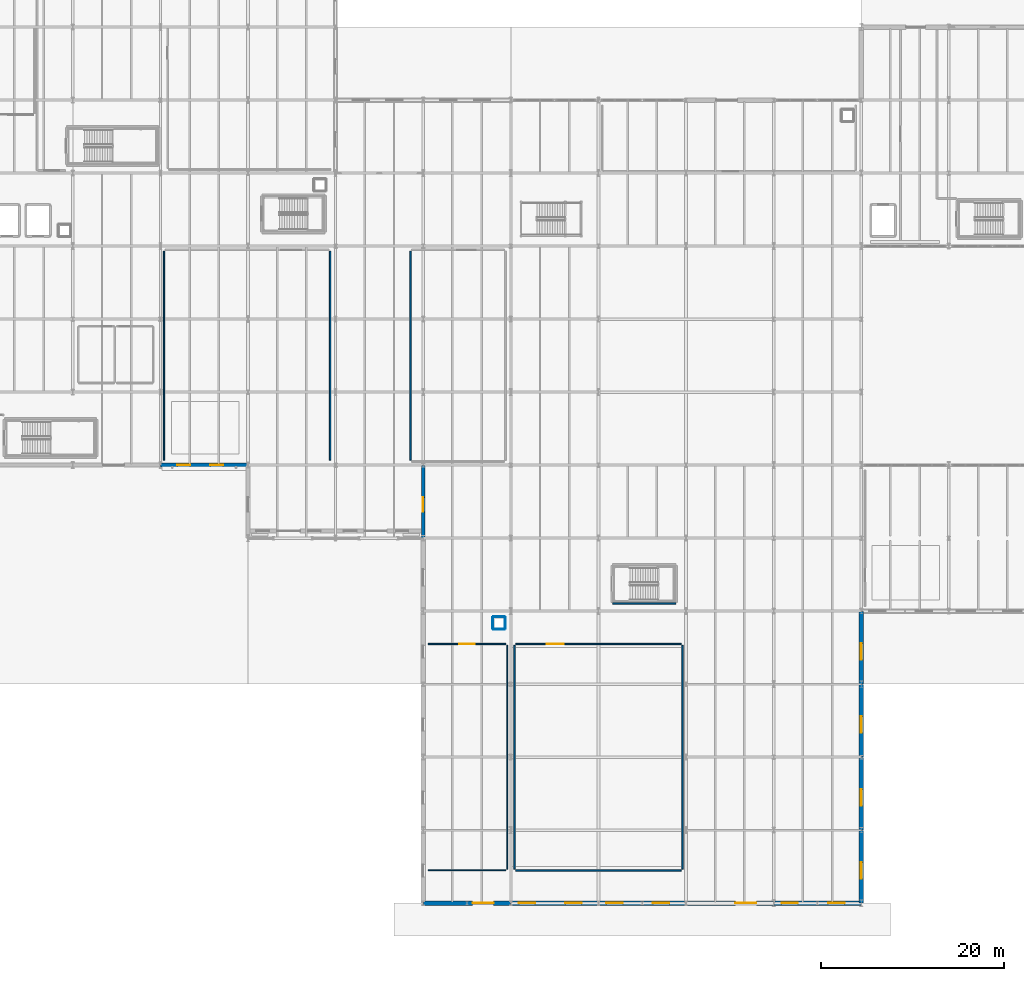
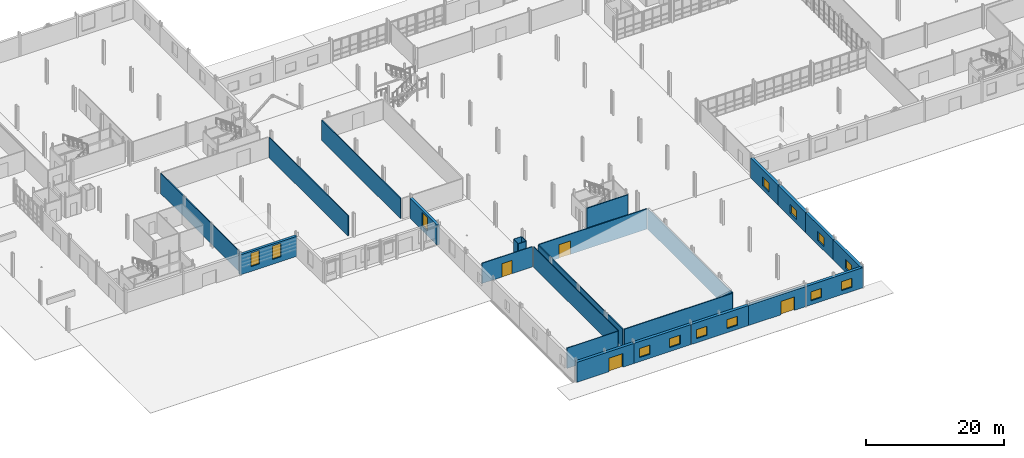
# One storey, part 59 of 78: 26 walls, 13 windows, 4 doors, 17 openings.
"""IFC4 building model written with IfcOpenShell, lengths in metres."""

from ifc_helpers import new_model, si_unit, direction, frame, frame_2d, origin, place, context, subcontext, project, spatial, rectangle, extrude, material, layer, layer_set, type_object, element, fill, save


model = new_model("IFC4")

# Units and contexts
model_context = context("Model", 3, precision=1e-05, world=origin(), true_north=direction((0.0, 1.0)))
body_context = subcontext(model_context, "Body", "Model", "MODEL_VIEW")
ifc_project = project(units=[si_unit("LENGTHUNIT", "METRE"), si_unit("AREAUNIT", "SQUARE_METRE"), si_unit("VOLUMEUNIT", "CUBIC_METRE"), si_unit("PLANEANGLEUNIT", "RADIAN"), si_unit("MASSUNIT", "GRAM", prefix="KILO")], contexts=[model_context])

# Site, building, storey
site_placement = place(None, origin())
site = spatial("IfcSite", under=ifc_project, at=site_placement, CompositionType="ELEMENT")
building_placement = place(site_placement, origin())
building = spatial("IfcBuilding", under=site, at=building_placement, Name="Alderhovde Museum", CompositionType="ELEMENT")
storey_placement = place(building_placement, origin())
storey = spatial("IfcBuildingStorey", under=building, at=storey_placement, Name="L00", CompositionType="ELEMENT", Elevation=0.0)

# Wall, opening, window
ifc_material_1 = material(Name="Nordic Granite Plinth Masonry", Category="masonry")
ifc_layer_1 = layer(ifc_material_1, 0.419921875)
ifc_layer_set_1 = layer_set([ifc_layer_1], Name="Nordic Granite Plinth Masonry")
wall_type_1 = type_object("IfcWallType", Name="EW-GRAN-420", PredefinedType="SOLIDWALL", material=ifc_layer_set_1)
wall_1_placement = place(storey_placement, frame((67.199951171875, 40.02001953125, 0.0), z_axis=(0.0, 0.0, 1.0), x_axis=(0.0, 1.0, 0.0)))
wall_1 = element("IfcWall", 1, at=wall_1_placement, inside=storey, type_object=wall_type_1, Name="L00 Beaux-Arts Portico Flank Wall 7", PredefinedType="SOLIDWALL", context=body_context, shape_type="SweptSolid", body=[
    extrude(rectangle(XDim=7.9599609375, YDim=0.419921875, at=frame_2d((3.97998046875, 0.0))), origin(), (0.0, 0.0, 1.0), 3.56005859375),
])
opening_1_placement = place(wall_1_placement, frame((2.85009765625, 0.0, 0.800048828125)))
opening_1 = element("IfcOpeningElement", 2, at=opening_1_placement, cuts=wall_1, Name="Opening W06", PredefinedType="OPENING", context=body_context, shape_type="SweptSolid", body=[
    extrude(rectangle(XDim=1.60009765625, YDim=2.39990234375, at=frame_2d((0.800048828125, 1.199951171875))), frame((0.0, 0.219970703125, 0.0), z_axis=(0.0, -1.0, 0.0), x_axis=(1.0, 0.0, 0.0)), (0.0, 0.0, 1.0), 0.43994140625),
])
ifc_material_2 = material(Name="Triple-Glazed Low-E Bronze-Anodised Aluminium", Category="aluminium")
window_type_1 = type_object("IfcWindowType", Name="WIN-BA-1600x2400", PartitioningType="DOUBLE_PANEL_VERTICAL", PredefinedType="WINDOW", material=ifc_material_2)
window_1_placement = place(opening_1_placement, origin())
window_1 = element("IfcWindow", 3, at=window_1_placement, inside=storey, type_object=window_type_1, Name="L00 Facade Window 6", OverallHeight=2.39990234375, OverallWidth=1.60009765625, PartitioningType="SINGLE_PANEL", PredefinedType="WINDOW", context=body_context, shape_type="SweptSolid", body=[
    extrude(rectangle(XDim=1.60009765625, YDim=2.39990234375, at=frame_2d((0.800048828125, 1.199951171875))), frame((0.0, 0.030029296875, 0.0), z_axis=(0.0, -1.0, 0.0), x_axis=(1.0, 0.0, 0.0)), (0.0, 0.0, 1.0), 0.06005859375),
])
fill(opening_1, window_1)

# Wall, openings, windows
wall_2_placement = place(storey_placement, frame((38.419921875, 48.0, 0.0), z_axis=(0.0, 0.0, 1.0), x_axis=(1.0, 0.0, 0.0)))
wall_2 = element("IfcWall", 4, at=wall_2_placement, inside=storey, type_object=wall_type_1, Name="L00 Folded Wing South Wall 16", PredefinedType="SOLIDWALL", context=body_context, shape_type="SweptSolid", body=[
    extrude(rectangle(XDim=9.56005859375, YDim=0.419921875, at=frame_2d((4.780029296875, 0.0))), origin(), (0.0, 0.0, 1.0), 3.56005859375),
])
opening_2_placement = place(wall_2_placement, frame((1.85009765625, 0.0, 0.85009765625)))
opening_2 = element("IfcOpeningElement", 5, at=opening_2_placement, cuts=wall_2, Name="Opening W07", PredefinedType="OPENING", context=body_context, shape_type="SweptSolid", body=[
    extrude(rectangle(XDim=1.39990234375, YDim=2.39990234375, at=frame_2d((0.699951171875, 1.199951171875))), frame((0.0, 0.219970703125, 0.0), z_axis=(0.0, -1.0, 0.0), x_axis=(1.0, 0.0, 0.0)), (0.0, 0.0, 1.0), 0.43994140625),
])
opening_3_placement = place(wall_2_placement, frame((5.449951171875, 0.0, 0.85009765625)))
opening_3 = element("IfcOpeningElement", 6, at=opening_3_placement, cuts=wall_2, Name="Opening W07", PredefinedType="OPENING", context=body_context, shape_type="SweptSolid", body=[
    extrude(rectangle(XDim=1.39990234375, YDim=2.39990234375, at=frame_2d((0.699951171875, 1.199951171875))), frame((0.0, 0.219970703125, 0.0), z_axis=(0.0, -1.0, 0.0), x_axis=(1.0, 0.0, 0.0)), (0.0, 0.0, 1.0), 0.43994140625),
])
ifc_material_3 = material(Name="Triple-Glazed Low-E Bronze-Anodised Aluminium", Category="aluminium")
window_type_2 = type_object("IfcWindowType", Name="WIN-BA-1400x2400", PartitioningType="SINGLE_PANEL", PredefinedType="WINDOW", material=ifc_material_3)
window_2_placement = place(opening_2_placement, origin())
window_2 = element("IfcWindow", 7, at=window_2_placement, inside=storey, type_object=window_type_2, Name="L00 Facade Window 15", OverallHeight=2.39990234375, OverallWidth=1.39990234375, PartitioningType="SINGLE_PANEL", PredefinedType="WINDOW", context=body_context, shape_type="SweptSolid", body=[
    extrude(rectangle(XDim=1.39990234375, YDim=2.39990234375, at=frame_2d((0.699951171875, 1.199951171875))), frame((0.0, 0.030029296875, 0.0), z_axis=(0.0, -1.0, 0.0), x_axis=(1.0, 0.0, 0.0)), (0.0, 0.0, 1.0), 0.06005859375),
])
fill(opening_2, window_2)
window_3_placement = place(opening_3_placement, origin())
window_3 = element("IfcWindow", 8, at=window_3_placement, inside=storey, type_object=window_type_2, Name="L00 Facade Window 16", OverallHeight=2.39990234375, OverallWidth=1.39990234375, PartitioningType="SINGLE_PANEL", PredefinedType="WINDOW", context=body_context, shape_type="SweptSolid", body=[
    extrude(rectangle(XDim=1.39990234375, YDim=2.39990234375, at=frame_2d((0.699951171875, 1.199951171875))), frame((0.0, 0.030029296875, 0.0), z_axis=(0.0, -1.0, 0.0), x_axis=(1.0, 0.0, 0.0)), (0.0, 0.0, 1.0), 0.06005859375),
])
fill(opening_3, window_3)

# Wall, opening, door
ifc_material_4 = material(Name="Nordic Granite Ashlar on Concrete C35/45", Category="masonry")
ifc_layer_2 = layer(ifc_material_4, 0.47998046875)
ifc_layer_set_2 = layer_set([ifc_layer_2], Name="Nordic Granite Ashlar on Concrete C35/45")
wall_type_2 = type_object("IfcWallType", Name="EW-GRAN-480", PredefinedType="SOLIDWALL", material=ifc_layer_set_2)
wall_3_placement = place(storey_placement, frame((67.219970703125, 0.0, 0.0), z_axis=(0.0, 0.0, 1.0), x_axis=(1.0, 0.0, 0.0)))
wall_3 = element("IfcWall", 9, at=wall_3_placement, inside=storey, type_object=wall_type_2, Name="L00 Auditorium South Beaux-Arts Wall 85", PredefinedType="SOLIDWALL", context=body_context, shape_type="SweptSolid", body=[
    extrude(rectangle(XDim=9.56005859375, YDim=0.47998046875, at=frame_2d((4.780029296875, 0.0))), origin(), (0.0, 0.0, 1.0), 3.56005859375),
])
opening_4_placement = place(wall_3_placement, frame((5.39990234375, 0.0, 0.0)))
opening_4 = element("IfcOpeningElement", 10, at=opening_4_placement, cuts=wall_3, Name="Opening ED01", PredefinedType="OPENING", context=body_context, shape_type="SweptSolid", body=[
    extrude(rectangle(XDim=2.300048828125, YDim=2.39990234375, at=frame_2d((1.14990234375, 1.199951171875))), frame((0.0, 0.25, 0.0), z_axis=(0.0, -1.0, 0.0), x_axis=(1.0, 0.0, 0.0)), (0.0, 0.0, 1.0), 0.5),
])
ifc_material_5 = material(Name="Thermally Broken Bronze-Anodised Aluminium and Laminated Glass", Category="aluminium")
door_type_1 = type_object("IfcDoorType", Name="DR-EXT-2300x2400", OperationType="NOTDEFINED", PredefinedType="DOOR", material=ifc_material_5)
door_1_placement = place(opening_4_placement, frame((2.300048828125, 0.0, 0.0), z_axis=(0.0, 0.0, 1.0), x_axis=(-1.0, 0.0, 0.0)))
door_1 = element("IfcDoor", 11, at=door_1_placement, inside=storey, type_object=door_type_1, Name="Auditorium South Exit Door 67", OperationType="DOUBLE_DOOR_SINGLE_SWING", OverallHeight=2.39990234375, OverallWidth=2.300048828125, PredefinedType="DOOR", context=body_context, shape_type="SweptSolid", body=[
    extrude(rectangle(XDim=2.300048828125, YDim=2.39990234375, at=frame_2d((1.14990234375, 1.199951171875))), frame((0.0, 0.02490234375, 0.0), z_axis=(0.0, -1.0, 0.0), x_axis=(1.0, 0.0, 0.0)), (0.0, 0.0, 1.0), 0.050048828125),
])
fill(opening_4, door_1)

# Wall, openings, windows
wall_4_placement = place(storey_placement, frame((76.820068359375, 0.0, 0.0), z_axis=(0.0, 0.0, 1.0), x_axis=(1.0, 0.0, 0.0)))
wall_4 = element("IfcWall", 12, at=wall_4_placement, inside=storey, type_object=wall_type_2, Name="L00 Auditorium South Beaux-Arts Wall 86", PredefinedType="SOLIDWALL", context=body_context, shape_type="SweptSolid", body=[
    extrude(rectangle(XDim=9.559814453125, YDim=0.47998046875, at=frame_2d((4.77978515625, 0.0))), origin(), (0.0, 0.0, 1.0), 3.56005859375),
])
opening_5_placement = place(wall_4_placement, frame((0.85009765625, 0.0, 0.719970703125)))
opening_5 = element("IfcOpeningElement", 13, at=opening_5_placement, cuts=wall_4, Name="Opening W13", PredefinedType="OPENING", context=body_context, shape_type="SweptSolid", body=[
    extrude(rectangle(XDim=1.800048828125, YDim=1.60009765625, at=frame_2d((0.89990234375, 0.800048828125))), frame((0.0, 0.25, 0.0), z_axis=(0.0, -1.0, 0.0), x_axis=(1.0, 0.0, 0.0)), (0.0, 0.0, 1.0), 0.5),
])
opening_6_placement = place(wall_4_placement, frame((5.949951171875, 0.0, 0.719970703125)))
opening_6 = element("IfcOpeningElement", 14, at=opening_6_placement, cuts=wall_4, Name="Opening W13", PredefinedType="OPENING", context=body_context, shape_type="SweptSolid", body=[
    extrude(rectangle(XDim=1.800048828125, YDim=1.60009765625, at=frame_2d((0.89990234375, 0.800048828125))), frame((0.0, 0.25, 0.0), z_axis=(0.0, -1.0, 0.0), x_axis=(1.0, 0.0, 0.0)), (0.0, 0.0, 1.0), 0.5),
])
ifc_material_6 = material(Name="Triple-Glazed Low-E Bronze-Anodised Aluminium", Category="aluminium")
window_type_3 = type_object("IfcWindowType", Name="WIN-ATT-1800x1600", PartitioningType="DOUBLE_PANEL_VERTICAL", PredefinedType="WINDOW", material=ifc_material_6)
window_4_placement = place(opening_5_placement, origin())
window_4 = element("IfcWindow", 15, at=window_4_placement, inside=storey, type_object=window_type_3, Name="L00 Facade Window 55", OverallHeight=1.60009765625, OverallWidth=1.800048828125, PartitioningType="SINGLE_PANEL", PredefinedType="WINDOW", context=body_context, shape_type="SweptSolid", body=[
    extrude(rectangle(XDim=1.800048828125, YDim=1.60009765625, at=frame_2d((0.89990234375, 0.800048828125))), frame((0.0, 0.030029296875, 0.0), z_axis=(0.0, -1.0, 0.0), x_axis=(1.0, 0.0, 0.0)), (0.0, 0.0, 1.0), 0.06005859375),
])
fill(opening_5, window_4)
window_5_placement = place(opening_6_placement, origin())
window_5 = element("IfcWindow", 16, at=window_5_placement, inside=storey, type_object=window_type_3, Name="L00 Facade Window 56", OverallHeight=1.60009765625, OverallWidth=1.800048828125, PartitioningType="SINGLE_PANEL", PredefinedType="WINDOW", context=body_context, shape_type="SweptSolid", body=[
    extrude(rectangle(XDim=1.800048828125, YDim=1.60009765625, at=frame_2d((0.89990234375, 0.800048828125))), frame((0.0, 0.030029296875, 0.0), z_axis=(0.0, -1.0, 0.0), x_axis=(1.0, 0.0, 0.0)), (0.0, 0.0, 1.0), 0.06005859375),
])
fill(opening_6, window_5)

wall_5_placement = place(storey_placement, frame((86.419921875, 0.0, 0.0), z_axis=(0.0, 0.0, 1.0), x_axis=(1.0, 0.0, 0.0)))
wall_5 = element("IfcWall", 17, at=wall_5_placement, inside=storey, type_object=wall_type_2, Name="L00 Auditorium South Beaux-Arts Wall 87", PredefinedType="SOLIDWALL", context=body_context, shape_type="SweptSolid", body=[
    extrude(rectangle(XDim=9.56005859375, YDim=0.47998046875, at=frame_2d((4.780029296875, 0.0))), origin(), (0.0, 0.0, 1.0), 3.56005859375),
])
opening_7_placement = place(wall_5_placement, frame((0.85009765625, 0.0, 0.719970703125)))
opening_7 = element("IfcOpeningElement", 18, at=opening_7_placement, cuts=wall_5, Name="Opening W13", PredefinedType="OPENING", context=body_context, shape_type="SweptSolid", body=[
    extrude(rectangle(XDim=1.800048828125, YDim=1.60009765625, at=frame_2d((0.89990234375, 0.800048828125))), frame((0.0, 0.25, 0.0), z_axis=(0.0, -1.0, 0.0), x_axis=(1.0, 0.0, 0.0)), (0.0, 0.0, 1.0), 0.5),
])
opening_8_placement = place(wall_5_placement, frame((5.949951171875, 0.0, 0.719970703125)))
opening_8 = element("IfcOpeningElement", 19, at=opening_8_placement, cuts=wall_5, Name="Opening W13", PredefinedType="OPENING", context=body_context, shape_type="SweptSolid", body=[
    extrude(rectangle(XDim=1.800048828125, YDim=1.60009765625, at=frame_2d((0.89990234375, 0.800048828125))), frame((0.0, 0.25, 0.0), z_axis=(0.0, -1.0, 0.0), x_axis=(1.0, 0.0, 0.0)), (0.0, 0.0, 1.0), 0.5),
])
window_6_placement = place(opening_7_placement, origin())
window_6 = element("IfcWindow", 20, at=window_6_placement, inside=storey, type_object=window_type_3, Name="L00 Facade Window 57", OverallHeight=1.60009765625, OverallWidth=1.800048828125, PartitioningType="SINGLE_PANEL", PredefinedType="WINDOW", context=body_context, shape_type="SweptSolid", body=[
    extrude(rectangle(XDim=1.800048828125, YDim=1.60009765625, at=frame_2d((0.89990234375, 0.800048828125))), frame((0.0, 0.030029296875, 0.0), z_axis=(0.0, -1.0, 0.0), x_axis=(1.0, 0.0, 0.0)), (0.0, 0.0, 1.0), 0.06005859375),
])
fill(opening_7, window_6)
window_7_placement = place(opening_8_placement, origin())
window_7 = element("IfcWindow", 21, at=window_7_placement, inside=storey, type_object=window_type_3, Name="L00 Facade Window 58", OverallHeight=1.60009765625, OverallWidth=1.800048828125, PartitioningType="SINGLE_PANEL", PredefinedType="WINDOW", context=body_context, shape_type="SweptSolid", body=[
    extrude(rectangle(XDim=1.800048828125, YDim=1.60009765625, at=frame_2d((0.89990234375, 0.800048828125))), frame((0.0, 0.030029296875, 0.0), z_axis=(0.0, -1.0, 0.0), x_axis=(1.0, 0.0, 0.0)), (0.0, 0.0, 1.0), 0.06005859375),
])
fill(opening_8, window_7)

# Wall, opening, door
wall_6_placement = place(storey_placement, frame((96.02001953125, 0.0, 0.0), z_axis=(0.0, 0.0, 1.0), x_axis=(1.0, 0.0, 0.0)))
wall_6 = element("IfcWall", 22, at=wall_6_placement, inside=storey, type_object=wall_type_2, Name="L00 Auditorium South Beaux-Arts Wall 88", PredefinedType="SOLIDWALL", context=body_context, shape_type="SweptSolid", body=[
    extrude(rectangle(XDim=9.56005859375, YDim=0.47998046875, at=frame_2d((4.780029296875, 0.0))), origin(), (0.0, 0.0, 1.0), 3.56005859375),
])
opening_9_placement = place(wall_6_placement, frame((5.39990234375, 0.0, 0.0)))
opening_9 = element("IfcOpeningElement", 23, at=opening_9_placement, cuts=wall_6, Name="Opening ED01", PredefinedType="OPENING", context=body_context, shape_type="SweptSolid", body=[
    extrude(rectangle(XDim=2.300048828125, YDim=2.39990234375, at=frame_2d((1.14990234375, 1.199951171875))), frame((0.0, 0.25, 0.0), z_axis=(0.0, -1.0, 0.0), x_axis=(1.0, 0.0, 0.0)), (0.0, 0.0, 1.0), 0.5),
])
door_2_placement = place(opening_9_placement, frame((2.300048828125, 0.0, 0.0), z_axis=(0.0, 0.0, 1.0), x_axis=(-1.0, 0.0, 0.0)))
door_2 = element("IfcDoor", 24, at=door_2_placement, inside=storey, type_object=door_type_1, Name="Auditorium South Exit Door 96", OperationType="DOUBLE_DOOR_SINGLE_SWING", OverallHeight=2.39990234375, OverallWidth=2.300048828125, PredefinedType="DOOR", context=body_context, shape_type="SweptSolid", body=[
    extrude(rectangle(XDim=2.300048828125, YDim=2.39990234375, at=frame_2d((1.14990234375, 1.199951171875))), frame((0.0, 0.02490234375, 0.0), z_axis=(0.0, -1.0, 0.0), x_axis=(1.0, 0.0, 0.0)), (0.0, 0.0, 1.0), 0.050048828125),
])
fill(opening_9, door_2)

# Wall, openings, windows
wall_7_placement = place(storey_placement, frame((105.6201171875, 0.0, 0.0), z_axis=(0.0, 0.0, 1.0), x_axis=(1.0, 0.0, 0.0)))
wall_7 = element("IfcWall", 25, at=wall_7_placement, inside=storey, type_object=wall_type_2, Name="L00 Auditorium South Beaux-Arts Wall 89", PredefinedType="SOLIDWALL", context=body_context, shape_type="SweptSolid", body=[
    extrude(rectangle(XDim=9.559814453125, YDim=0.47998046875, at=frame_2d((4.77978515625, 0.0))), origin(), (0.0, 0.0, 1.0), 3.56005859375),
])
opening_10_placement = place(wall_7_placement, frame((0.85009765625, 0.0, 0.719970703125)))
opening_10 = element("IfcOpeningElement", 26, at=opening_10_placement, cuts=wall_7, Name="Opening W13", PredefinedType="OPENING", context=body_context, shape_type="SweptSolid", body=[
    extrude(rectangle(XDim=1.800048828125, YDim=1.60009765625, at=frame_2d((0.89990234375, 0.800048828125))), frame((0.0, 0.25, 0.0), z_axis=(0.0, -1.0, 0.0), x_axis=(1.0, 0.0, 0.0)), (0.0, 0.0, 1.0), 0.5),
])
opening_11_placement = place(wall_7_placement, frame((5.949951171875, 0.0, 0.719970703125)))
opening_11 = element("IfcOpeningElement", 27, at=opening_11_placement, cuts=wall_7, Name="Opening W13", PredefinedType="OPENING", context=body_context, shape_type="SweptSolid", body=[
    extrude(rectangle(XDim=1.800048828125, YDim=1.60009765625, at=frame_2d((0.89990234375, 0.800048828125))), frame((0.0, 0.25, 0.0), z_axis=(0.0, -1.0, 0.0), x_axis=(1.0, 0.0, 0.0)), (0.0, 0.0, 1.0), 0.5),
])
window_8_placement = place(opening_10_placement, origin())
window_8 = element("IfcWindow", 28, at=window_8_placement, inside=storey, type_object=window_type_3, Name="L00 Facade Window 59", OverallHeight=1.60009765625, OverallWidth=1.800048828125, PartitioningType="SINGLE_PANEL", PredefinedType="WINDOW", context=body_context, shape_type="SweptSolid", body=[
    extrude(rectangle(XDim=1.800048828125, YDim=1.60009765625, at=frame_2d((0.89990234375, 0.800048828125))), frame((0.0, 0.030029296875, 0.0), z_axis=(0.0, -1.0, 0.0), x_axis=(1.0, 0.0, 0.0)), (0.0, 0.0, 1.0), 0.06005859375),
])
fill(opening_10, window_8)
window_9_placement = place(opening_11_placement, origin())
window_9 = element("IfcWindow", 29, at=window_9_placement, inside=storey, type_object=window_type_3, Name="L00 Facade Window 60", OverallHeight=1.60009765625, OverallWidth=1.800048828125, PartitioningType="SINGLE_PANEL", PredefinedType="WINDOW", context=body_context, shape_type="SweptSolid", body=[
    extrude(rectangle(XDim=1.800048828125, YDim=1.60009765625, at=frame_2d((0.89990234375, 0.800048828125))), frame((0.0, 0.030029296875, 0.0), z_axis=(0.0, -1.0, 0.0), x_axis=(1.0, 0.0, 0.0)), (0.0, 0.0, 1.0), 0.06005859375),
])
fill(opening_11, window_9)

# Wall, opening, window
wall_8_placement = place(storey_placement, frame((115.199951171875, 0.02001953125, 0.0), z_axis=(0.0, 0.0, 1.0), x_axis=(0.0, 1.0, 0.0)))
wall_8 = element("IfcWall", 30, at=wall_8_placement, inside=storey, type_object=wall_type_2, Name="L00 Auditorium East Granite Wall 91", PredefinedType="SOLIDWALL", context=body_context, shape_type="SweptSolid", body=[
    extrude(rectangle(XDim=7.9599609375, YDim=0.47998046875, at=frame_2d((3.97998046875, 0.0))), origin(), (0.0, 0.0, 1.0), 3.56005859375),
])
opening_12_placement = place(wall_8_placement, frame((2.64990234375, 0.0, 0.719970703125)))
opening_12 = element("IfcOpeningElement", 31, at=opening_12_placement, cuts=wall_8, Name="Opening W13", PredefinedType="OPENING", context=body_context, shape_type="SweptSolid", body=[
    extrude(rectangle(XDim=1.800048828125, YDim=1.60009765625, at=frame_2d((0.89990234375, 0.800048828125))), frame((0.0, 0.25, 0.0), z_axis=(0.0, -1.0, 0.0), x_axis=(1.0, 0.0, 0.0)), (0.0, 0.0, 1.0), 0.5),
])
window_10_placement = place(opening_12_placement, origin())
window_10 = element("IfcWindow", 32, at=window_10_placement, inside=storey, type_object=window_type_3, Name="L00 Facade Window 62", OverallHeight=1.60009765625, OverallWidth=1.800048828125, PartitioningType="SINGLE_PANEL", PredefinedType="WINDOW", context=body_context, shape_type="SweptSolid", body=[
    extrude(rectangle(XDim=1.800048828125, YDim=1.60009765625, at=frame_2d((0.89990234375, 0.800048828125))), frame((0.0, 0.030029296875, 0.0), z_axis=(0.0, -1.0, 0.0), x_axis=(1.0, 0.0, 0.0)), (0.0, 0.0, 1.0), 0.06005859375),
])
fill(opening_12, window_10)

wall_9_placement = place(storey_placement, frame((115.199951171875, 8.02001953125, 0.0), z_axis=(0.0, 0.0, 1.0), x_axis=(0.0, 1.0, 0.0)))
wall_9 = element("IfcWall", 33, at=wall_9_placement, inside=storey, type_object=wall_type_2, Name="L00 Auditorium East Granite Wall 93", PredefinedType="SOLIDWALL", context=body_context, shape_type="SweptSolid", body=[
    extrude(rectangle(XDim=7.9599609375, YDim=0.47998046875, at=frame_2d((3.97998046875, 0.0))), origin(), (0.0, 0.0, 1.0), 3.56005859375),
])
opening_13_placement = place(wall_9_placement, frame((2.64990234375, 0.0, 0.719970703125)))
opening_13 = element("IfcOpeningElement", 34, at=opening_13_placement, cuts=wall_9, Name="Opening W13", PredefinedType="OPENING", context=body_context, shape_type="SweptSolid", body=[
    extrude(rectangle(XDim=1.800048828125, YDim=1.60009765625, at=frame_2d((0.89990234375, 0.800048828125))), frame((0.0, 0.25, 0.0), z_axis=(0.0, -1.0, 0.0), x_axis=(1.0, 0.0, 0.0)), (0.0, 0.0, 1.0), 0.5),
])
window_11_placement = place(opening_13_placement, origin())
window_11 = element("IfcWindow", 35, at=window_11_placement, inside=storey, type_object=window_type_3, Name="L00 Facade Window 64", OverallHeight=1.60009765625, OverallWidth=1.800048828125, PartitioningType="SINGLE_PANEL", PredefinedType="WINDOW", context=body_context, shape_type="SweptSolid", body=[
    extrude(rectangle(XDim=1.800048828125, YDim=1.60009765625, at=frame_2d((0.89990234375, 0.800048828125))), frame((0.0, 0.030029296875, 0.0), z_axis=(0.0, -1.0, 0.0), x_axis=(1.0, 0.0, 0.0)), (0.0, 0.0, 1.0), 0.06005859375),
])
fill(opening_13, window_11)

wall_10_placement = place(storey_placement, frame((115.199951171875, 16.02001953125, 0.0), z_axis=(0.0, 0.0, 1.0), x_axis=(0.0, 1.0, 0.0)))
wall_10 = element("IfcWall", 36, at=wall_10_placement, inside=storey, type_object=wall_type_2, Name="L00 Auditorium East Granite Wall 95", PredefinedType="SOLIDWALL", context=body_context, shape_type="SweptSolid", body=[
    extrude(rectangle(XDim=7.9599609375, YDim=0.47998046875, at=frame_2d((3.97998046875, 0.0))), origin(), (0.0, 0.0, 1.0), 3.56005859375),
])
opening_14_placement = place(wall_10_placement, frame((2.64990234375, 0.0, 0.719970703125)))
opening_14 = element("IfcOpeningElement", 37, at=opening_14_placement, cuts=wall_10, Name="Opening W13", PredefinedType="OPENING", context=body_context, shape_type="SweptSolid", body=[
    extrude(rectangle(XDim=1.800048828125, YDim=1.60009765625, at=frame_2d((0.89990234375, 0.800048828125))), frame((0.0, 0.25, 0.0), z_axis=(0.0, -1.0, 0.0), x_axis=(1.0, 0.0, 0.0)), (0.0, 0.0, 1.0), 0.5),
])
window_12_placement = place(opening_14_placement, origin())
window_12 = element("IfcWindow", 38, at=window_12_placement, inside=storey, type_object=window_type_3, Name="L00 Facade Window 66", OverallHeight=1.60009765625, OverallWidth=1.800048828125, PartitioningType="SINGLE_PANEL", PredefinedType="WINDOW", context=body_context, shape_type="SweptSolid", body=[
    extrude(rectangle(XDim=1.800048828125, YDim=1.60009765625, at=frame_2d((0.89990234375, 0.800048828125))), frame((0.0, 0.030029296875, 0.0), z_axis=(0.0, -1.0, 0.0), x_axis=(1.0, 0.0, 0.0)), (0.0, 0.0, 1.0), 0.06005859375),
])
fill(opening_14, window_12)

wall_11_placement = place(storey_placement, frame((115.199951171875, 24.02001953125, 0.0), z_axis=(0.0, 0.0, 1.0), x_axis=(0.0, 1.0, 0.0)))
wall_11 = element("IfcWall", 39, at=wall_11_placement, inside=storey, type_object=wall_type_2, Name="L00 Auditorium East Granite Wall 97", PredefinedType="SOLIDWALL", context=body_context, shape_type="SweptSolid", body=[
    extrude(rectangle(XDim=7.9599609375, YDim=0.47998046875, at=frame_2d((3.97998046875, 0.0))), origin(), (0.0, 0.0, 1.0), 3.56005859375),
])
opening_15_placement = place(wall_11_placement, frame((2.64990234375, 0.0, 0.719970703125)))
opening_15 = element("IfcOpeningElement", 40, at=opening_15_placement, cuts=wall_11, Name="Opening W13", PredefinedType="OPENING", context=body_context, shape_type="SweptSolid", body=[
    extrude(rectangle(XDim=1.800048828125, YDim=1.60009765625, at=frame_2d((0.89990234375, 0.800048828125))), frame((0.0, 0.25, 0.0), z_axis=(0.0, -1.0, 0.0), x_axis=(1.0, 0.0, 0.0)), (0.0, 0.0, 1.0), 0.5),
])
window_13_placement = place(opening_15_placement, origin())
window_13 = element("IfcWindow", 41, at=window_13_placement, inside=storey, type_object=window_type_3, Name="L00 Facade Window 68", OverallHeight=1.60009765625, OverallWidth=1.800048828125, PartitioningType="SINGLE_PANEL", PredefinedType="WINDOW", context=body_context, shape_type="SweptSolid", body=[
    extrude(rectangle(XDim=1.800048828125, YDim=1.60009765625, at=frame_2d((0.89990234375, 0.800048828125))), frame((0.0, 0.030029296875, 0.0), z_axis=(0.0, -1.0, 0.0), x_axis=(1.0, 0.0, 0.0)), (0.0, 0.0, 1.0), 0.06005859375),
])
fill(opening_15, window_13)

# Wall, opening, door
ifc_material_7 = material(Name="Double-Stud Acoustic Auditorium Partition")
ifc_layer_3 = layer(ifc_material_7, 0.159912109375)
ifc_layer_set_3 = layer_set([ifc_layer_3], Name="Double-Stud Acoustic Auditorium Partition")
wall_type_3 = type_object("IfcWallType", Name="IW-ACOU-160", PredefinedType="PARTITIONING", material=ifc_layer_set_3)
wall_12_placement = place(storey_placement, frame((77.340087890625, 28.39990234375, 0.0), z_axis=(0.0, 0.0, 1.0), x_axis=(1.0, 0.0, 0.0)))
wall_12 = element("IfcWall", 42, at=wall_12_placement, inside=storey, type_object=wall_type_3, Name="L00 Civic Auditorium Partition Wall N", PredefinedType="PARTITIONING", context=body_context, shape_type="SweptSolid", body=[
    extrude(rectangle(XDim=18.119873046875, YDim=0.159912109375, at=frame_2d((9.06005859375, 0.0))), origin(), (0.0, 0.0, 1.0), 3.60009765625),
])
opening_16_placement = place(wall_12_placement, frame((3.375, 0.0, 0.0)))
opening_16 = element("IfcOpeningElement", 43, at=opening_16_placement, cuts=wall_12, Name="Opening D04", PredefinedType="OPENING", context=body_context, shape_type="SweptSolid", body=[
    extrude(rectangle(XDim=1.89990234375, YDim=2.39990234375, at=frame_2d((0.949951171875, 1.199951171875))), frame((0.0, 0.090087890625, 0.0), z_axis=(0.0, -1.0, 0.0), x_axis=(1.0, 0.0, 0.0)), (0.0, 0.0, 1.0), 0.179931640625),
])
ifc_material_8 = material(Name="Acoustic Auditorium Double Door (Steel/Oak)", Category="steel")
door_type_2 = type_object("IfcDoorType", Name="ID-AUD-1900x2400", OperationType="NOTDEFINED", PredefinedType="DOOR", material=ifc_material_8)
door_3_placement = place(opening_16_placement, origin())
door_3 = element("IfcDoor", 44, at=door_3_placement, inside=storey, type_object=door_type_2, Name="L00 Civic Auditorium Door", OperationType="DOUBLE_DOOR_SINGLE_SWING", OverallHeight=2.39990234375, OverallWidth=1.89990234375, PredefinedType="DOOR", context=body_context, shape_type="SweptSolid", body=[
    extrude(rectangle(XDim=1.89990234375, YDim=2.39990234375, at=frame_2d((0.949951171875, 1.199951171875))), frame((0.0, 0.02490234375, 0.0), z_axis=(0.0, -1.0, 0.0), x_axis=(1.0, 0.0, 0.0)), (0.0, 0.0, 1.0), 0.050048828125),
])
fill(opening_16, door_3)

# Walls
wall_13_placement = place(storey_placement, frame((77.340087890625, 3.60009765625, 0.0), z_axis=(0.0, 0.0, 1.0), x_axis=(1.0, 0.0, 0.0)))
element("IfcWall", 45, at=wall_13_placement, inside=storey, type_object=wall_type_3, Name="L00 Civic Auditorium Partition Wall S", PredefinedType="PARTITIONING", context=body_context, shape_type="SweptSolid", body=[
    extrude(rectangle(XDim=18.119873046875, YDim=0.159912109375, at=frame_2d((9.06005859375, 0.0))), origin(), (0.0, 0.0, 1.0), 3.60009765625),
])
for number, where, z_axis, x_axis, name in (
    (46, (77.199951171875, 3.739990234375, 0.0), (0.0, 0.0, 1.0), (0.0, 1.0, 0.0), "L00 Civic Auditorium Partition Wall W"),
    (47, (95.60009765625, 3.739990234375, 0.0), (0.0, 0.0, 1.0), (0.0, 1.0, 0.0), "L00 Civic Auditorium Partition Wall E"),
):
    element("IfcWall", number, at=place(storey_placement, frame(where, z_axis=z_axis, x_axis=x_axis)), inside=storey, type_object=wall_type_3, Name=name, PredefinedType="PARTITIONING", context=body_context, shape_type="SweptSolid", body=[
        extrude(rectangle(XDim=24.52001953125, YDim=0.159912109375, at=frame_2d((12.260009765625, 0.0))), origin(), (0.0, 0.0, 1.0), 3.60009765625),
    ])
ifc_material_9 = material(Name="Plywood-Backed Gallery Display Partition", Category="wood")
ifc_layer_4 = layer(ifc_material_9, 0.14990234375)
ifc_layer_set_4 = layer_set([ifc_layer_4], Name="Plywood-Backed Gallery Display Partition")
wall_type_4 = type_object("IfcWallType", Name="IW-GAL-150", PredefinedType="PARTITIONING", material=ifc_layer_set_4)
for number, where, z_axis, x_axis, name in (
    (48, (38.800048828125, 48.5400390625, 0.0), (0.0, 0.0, 1.0), (0.0, 1.0, 0.0), "L00 Permanent Sculpture Gallery West Partition Wall W"),
    (49, (57.0, 48.5400390625, 0.0), (0.0, 0.0, 1.0), (0.0, 1.0, 0.0), "L00 Permanent Sculpture Gallery West Partition Wall E"),
    (50, (65.800048828125, 48.5400390625, 0.0), (0.0, 0.0, 1.0), (0.0, 1.0, 0.0), "L00 Permanent Sculpture Gallery East Partition Wall W"),
):
    element("IfcWall", number, at=place(storey_placement, frame(where, z_axis=z_axis, x_axis=x_axis)), inside=storey, type_object=wall_type_4, Name=name, PredefinedType="PARTITIONING", context=body_context, shape_type="SweptSolid", body=[
        extrude(rectangle(XDim=22.919921875, YDim=0.14990234375, at=frame_2d((11.4599609375, 0.0))), origin(), (0.0, 0.0, 1.0), 3.60009765625),
    ])
ifc_material_10 = material(Name="Acoustic Service Riser Lining Wall")
ifc_layer_5 = layer(ifc_material_10, 0.10009765625)
ifc_layer_set_5 = layer_set([ifc_layer_5], Name="Acoustic Service Riser Lining Wall")
wall_type_5 = type_object("IfcWallType", Name="IW-LIN-100", PredefinedType="PARTITIONING", material=ifc_layer_set_5)
for number, where, z_axis, x_axis, name in (
    (51, (74.8798828125, 31.3798828125, 0.0), (0.0, 0.0, 1.0), (1.0, 0.0, 0.0), "L00 Service Riser RSR-V3 Shaft Wall N"),
    (52, (74.8798828125, 30.02001953125, 0.0), (0.0, 0.0, 1.0), (1.0, 0.0, 0.0), "L00 Service Riser RSR-V3 Shaft Wall S"),
):
    element("IfcWall", number, at=place(storey_placement, frame(where, z_axis=z_axis, x_axis=x_axis)), inside=storey, type_object=wall_type_5, Name=name, PredefinedType="PARTITIONING", context=body_context, shape_type="SweptSolid", body=[
        extrude(rectangle(XDim=1.240234375, YDim=0.10009765625, at=frame_2d((0.6201171875, 0.0))), origin(), (0.0, 0.0, 1.0), 3.60009765625),
    ])
for number, where, z_axis, x_axis, name in (
    (53, (74.820068359375, 30.080078125, 0.0), (0.0, 0.0, 1.0), (0.0, 1.0, 0.0), "L00 Service Riser RSR-V3 Shaft Wall W"),
    (54, (76.179931640625, 30.080078125, 0.0), (0.0, 0.0, 1.0), (0.0, 1.0, 0.0), "L00 Service Riser RSR-V3 Shaft Wall E"),
):
    element("IfcWall", number, at=place(storey_placement, frame(where, z_axis=z_axis, x_axis=x_axis)), inside=storey, type_object=wall_type_5, Name=name, PredefinedType="PARTITIONING", context=body_context, shape_type="SweptSolid", body=[
        extrude(rectangle(XDim=1.239990234375, YDim=0.10009765625, at=frame_2d((0.6201171875, 0.0))), origin(), (0.0, 0.0, 1.0), 3.60009765625),
    ])

# Wall, opening, door
ifc_material_11 = material(Name="Insulated Metal-Stud Room Partition")
ifc_layer_6 = layer(ifc_material_11, 0.125)
ifc_layer_set_6 = layer_set([ifc_layer_6], Name="Insulated Metal-Stud Room Partition")
wall_type_6 = type_object("IfcWallType", Name="IW-PART-125", PredefinedType="PARTITIONING", material=ifc_layer_set_6)
wall_14_placement = place(storey_placement, frame((67.739990234375, 28.39990234375, 0.0), z_axis=(0.0, 0.0, 1.0), x_axis=(1.0, 0.0, 0.0)))
wall_14 = element("IfcWall", 55, at=wall_14_placement, inside=storey, type_object=wall_type_6, Name="L00 Museum Shop Partition Wall N", PredefinedType="PARTITIONING", context=body_context, shape_type="SweptSolid", body=[
    extrude(rectangle(XDim=8.52001953125, YDim=0.125, at=frame_2d((4.260009765625, 0.0))), origin(), (0.0, 0.0, 1.0), 3.60009765625),
])
opening_17_placement = place(wall_14_placement, frame((3.409912109375, 0.0, 0.0)))
opening_17 = element("IfcOpeningElement", 56, at=opening_17_placement, cuts=wall_14, Name="Opening D05", PredefinedType="OPENING", context=body_context, shape_type="SweptSolid", body=[
    extrude(rectangle(XDim=1.699951171875, YDim=2.35009765625, at=frame_2d((0.85009765625, 1.175048828125))), frame((0.0, 0.072509765625, 0.0), z_axis=(0.0, -1.0, 0.0), x_axis=(1.0, 0.0, 0.0)), (0.0, 0.0, 1.0), 0.14501953125),
])
ifc_material_12 = material(Name="Glazed Cafe and Shop Entrance Door (Steel/Oak)", Category="steel")
door_type_3 = type_object("IfcDoorType", Name="ID-CAFE-1700x2350", OperationType="NOTDEFINED", PredefinedType="DOOR", material=ifc_material_12)
door_4_placement = place(opening_17_placement, origin())
door_4 = element("IfcDoor", 57, at=door_4_placement, inside=storey, type_object=door_type_3, Name="L00 Museum Shop Door", OperationType="DOUBLE_DOOR_SINGLE_SWING", OverallHeight=2.35009765625, OverallWidth=1.699951171875, PredefinedType="DOOR", context=body_context, shape_type="SweptSolid", body=[
    extrude(rectangle(XDim=1.699951171875, YDim=2.35009765625, at=frame_2d((0.85009765625, 1.175048828125))), frame((0.0, 0.02490234375, 0.0), z_axis=(0.0, -1.0, 0.0), x_axis=(1.0, 0.0, 0.0)), (0.0, 0.0, 1.0), 0.050048828125),
])
fill(opening_17, door_4)

# Walls
wall_15_placement = place(storey_placement, frame((67.739990234375, 3.60009765625, 0.0), z_axis=(0.0, 0.0, 1.0), x_axis=(1.0, 0.0, 0.0)))
element("IfcWall", 58, at=wall_15_placement, inside=storey, type_object=wall_type_6, Name="L00 Museum Shop Partition Wall S", PredefinedType="PARTITIONING", context=body_context, shape_type="SweptSolid", body=[
    extrude(rectangle(XDim=8.52001953125, YDim=0.125, at=frame_2d((4.260009765625, 0.0))), origin(), (0.0, 0.0, 1.0), 3.60009765625),
])
wall_16_placement = place(storey_placement, frame((76.39990234375, 3.739990234375, 0.0), z_axis=(0.0, 0.0, 1.0), x_axis=(0.0, 1.0, 0.0)))
element("IfcWall", 59, at=wall_16_placement, inside=storey, type_object=wall_type_6, Name="L00 Museum Shop Partition Wall E", PredefinedType="PARTITIONING", context=body_context, shape_type="SweptSolid", body=[
    extrude(rectangle(XDim=24.52001953125, YDim=0.125, at=frame_2d((12.260009765625, 0.0))), origin(), (0.0, 0.0, 1.0), 3.60009765625),
])
ifc_material_13 = material(Name="Fire-Resisting Stair Lobby Wall")
ifc_layer_7 = layer(ifc_material_13, 0.169921875)
ifc_layer_set_7 = layer_set([ifc_layer_7], Name="Fire-Resisting Stair Lobby Wall")
wall_type_7 = type_object("IfcWallType", Name="IW-STAIR-170", PredefinedType="SOLIDWALL", material=ifc_layer_set_7)
wall_17_placement = place(storey_placement, frame((87.9599609375, 32.860107421875, 0.0), z_axis=(0.0, 0.0, 1.0), x_axis=(1.0, 0.0, 0.0)))
element("IfcWall", 60, at=wall_17_placement, inside=storey, type_object=wall_type_7, Name="L00 Escape Stair ST3 Fire Wall S", PredefinedType="SOLIDWALL", context=body_context, shape_type="SweptSolid", body=[
    extrude(rectangle(XDim=6.919921875, YDim=0.169921875, at=frame_2d((3.4599609375, 0.0))), origin(), (0.0, 0.0, 1.0), 3.60009765625),
])

save(model, "model.ifc")
